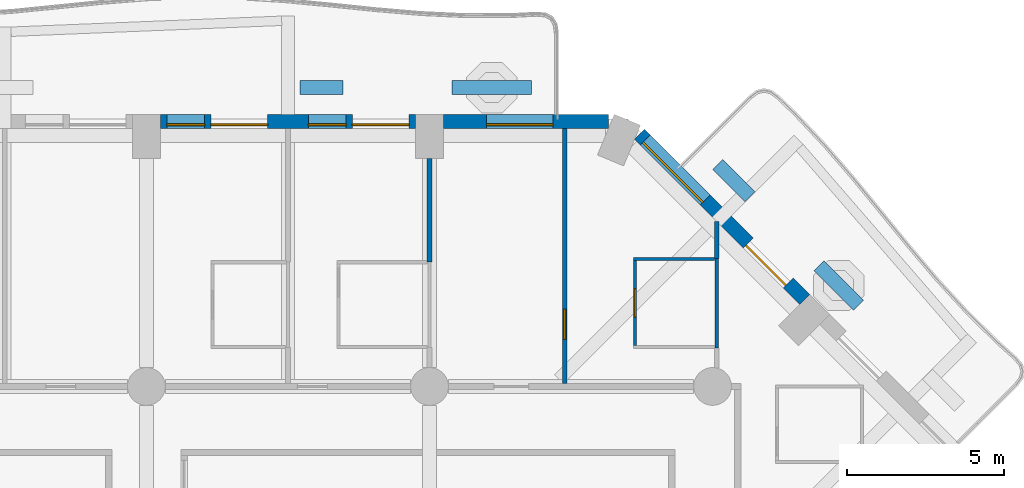
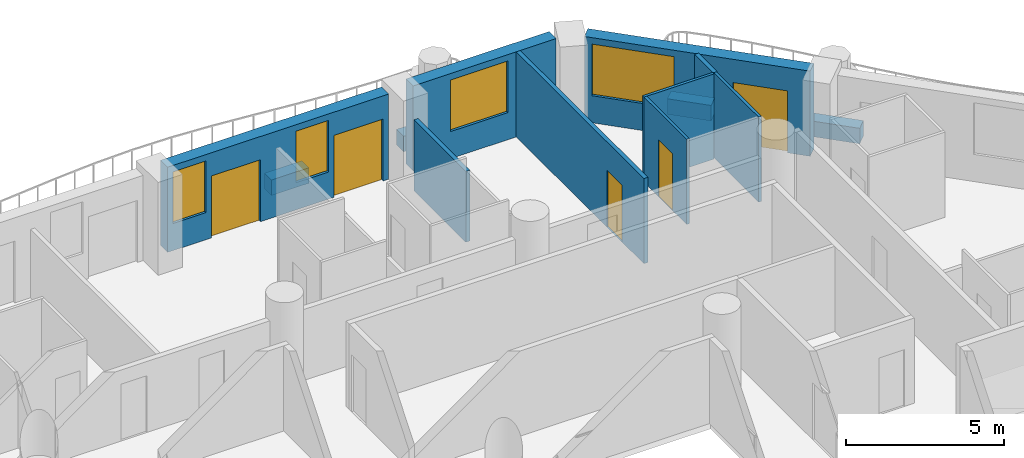
# One storey, part 10 of 20: 13 walls, 5 doors, 4 windows, 9 openings.
"""IFC4 building model written with IfcOpenShell, lengths in metres."""

from ifc_helpers import new_model, si_unit, direction, frame, frame_2d, origin, place, context, subcontext, project, spatial, rectangle, extrude, material, layer, layer_set, type_object, element, fill, save


model = new_model("IFC4")

# Units and contexts
model_context = context("Model", 3, precision=1e-05, world=origin(), true_north=direction((0.0, 1.0)))
body_context = subcontext(model_context, "Body", "Model", "MODEL_VIEW")
ifc_project = project(units=[si_unit("LENGTHUNIT", "METRE"), si_unit("AREAUNIT", "SQUARE_METRE"), si_unit("VOLUMEUNIT", "CUBIC_METRE"), si_unit("PLANEANGLEUNIT", "RADIAN"), si_unit("MASSUNIT", "GRAM", prefix="KILO")], contexts=[model_context])

# Site, building, storey
site_placement = place(None, origin())
site = spatial("IfcSite", under=ifc_project, at=site_placement, CompositionType="ELEMENT")
building_placement = place(site_placement, origin())
building = spatial("IfcBuilding", under=site, at=building_placement, Name="Cypress Arch Tower", CompositionType="ELEMENT")
storey_placement = place(building_placement, frame((0.0, 0.0, 62.699951171875)))
storey = spatial("IfcBuildingStorey", under=building, at=storey_placement, Name="L09", CompositionType="ELEMENT", Elevation=62.699951171875)

# Walls
ifc_material_1 = material(Name="Concrete C40/50, waterproofed", Category="concrete")
ifc_layer_1 = layer(ifc_material_1, 0.449951171875)
ifc_layer_set_1 = layer_set([ifc_layer_1], Name="Balcony planter wall PW450")
wall_type_1 = type_object("IfcWallType", Name="Balcony planter wall PW450", PredefinedType="SOLIDWALL", material=ifc_layer_set_1)
wall_1_placement = place(storey_placement, frame((19.9365234375, 20.07763671875, 0.0), z_axis=(0.0, 0.0, 1.0), x_axis=(-0.707106781187, 0.707106781187, 0.0)))
element("IfcWall", 1, at=wall_1_placement, inside=storey, type_object=wall_type_1, Name="Balcony planter wall L09-A07.2", PredefinedType="SOLIDWALL", context=body_context, shape_type="SweptSolid", body=[
    extrude(rectangle(XDim=1.780517578125, YDim=0.449951171875, at=frame_2d((0.89013671875, 0.0))), origin(), (0.0, 0.0, 1.0), 0.60009765625),
])
wall_2_placement = place(storey_placement, frame((16.485595703125, 23.528564453125, 0.0), z_axis=(0.0, 0.0, 1.0), x_axis=(-0.707022305137, 0.707191247145, 0.0)))
element("IfcWall", 2, at=wall_2_placement, inside=storey, type_object=wall_type_1, Name="Balcony planter wall L09-A07.3", PredefinedType="SOLIDWALL", context=body_context, shape_type="SweptSolid", body=[
    extrude(rectangle(XDim=1.445068359375, YDim=0.449951171875, at=frame_2d((0.72265625, 0.0))), origin(), (0.0, 0.0, 1.0), 0.60009765625),
])
wall_3_placement = place(storey_placement, frame((9.550048828125, 27.0, 0.0), z_axis=(0.0, 0.0, 1.0), x_axis=(-1.0, 0.0, 0.0)))
element("IfcWall", 3, at=wall_3_placement, inside=storey, type_object=wall_type_1, Name="Balcony planter wall L09-A08.1", PredefinedType="SOLIDWALL", context=body_context, shape_type="SweptSolid", body=[
    extrude(rectangle(XDim=2.53759765625, YDim=0.449951171875, at=frame_2d((1.268798828125, 0.0))), origin(), (0.0, 0.0, 1.0), 0.60009765625),
])
wall_4_placement = place(storey_placement, frame((3.550048828125, 27.0, 0.0), z_axis=(0.0, 0.0, 1.0), x_axis=(-1.0, 0.0, 0.0)))
element("IfcWall", 4, at=wall_4_placement, inside=storey, type_object=wall_type_1, Name="Balcony planter wall L09-A08.2", PredefinedType="SOLIDWALL", context=body_context, shape_type="SweptSolid", body=[
    extrude(rectangle(XDim=1.375, YDim=0.449951171875, at=frame_2d((0.6875, 0.0))), origin(), (0.0, 0.0, 1.0), 0.60009765625),
])

# Wall, openings, door, window
ifc_material_2 = material(Name="Brick (red buff blend)", Category="masonry")
ifc_layer_2 = layer(ifc_material_2, 0.449951171875)
ifc_layer_set_2 = layer_set([ifc_layer_2], Name="Brick pier and spandrel wall BW450")
wall_type_2 = type_object("IfcWallType", Name="Brick pier and spandrel wall BW450", PredefinedType="SOLIDWALL", material=ifc_layer_set_2)
wall_5_placement = place(storey_placement, frame((18.228759765625, 20.26513671875, 0.0), z_axis=(0.0, 0.0, 1.0), x_axis=(-0.707106781187, 0.707106781187, 0.0)))
wall_5 = element("IfcWall", 5, at=wall_5_placement, inside=storey, type_object=wall_type_2, Name="Brick wall L09 A07.1", PredefinedType="SOLIDWALL", context=body_context, shape_type="SweptSolid", body=[
    extrude(rectangle(XDim=7.423828125, YDim=0.449951171875, at=frame_2d((3.7119140625, 0.0))), origin(), (0.0, 0.0, 1.0), 3.300048828125),
])
opening_1_placement = place(wall_5_placement, frame((0.740234375, 0.0, 0.0)))
opening_1 = element("IfcOpeningElement", 6, at=opening_1_placement, cuts=wall_5, Name="Opening D-L09-A07.1.1", PredefinedType="OPENING", context=body_context, shape_type="SweptSolid", body=[
    extrude(rectangle(XDim=1.800048828125, YDim=2.39990234375, at=frame_2d((0.89990234375, 1.199951171875))), frame((0.0, 0.23486328125, 0.0), z_axis=(0.0, -1.0, 0.0), x_axis=(1.0, 0.0, 0.0)), (0.0, 0.0, 1.0), 0.469970703125),
])
opening_2_placement = place(wall_5_placement, frame((4.470703125, 0.0, 1.050048828125)))
opening_2 = element("IfcOpeningElement", 7, at=opening_2_placement, cuts=wall_5, Name="Opening W270HD", PredefinedType="OPENING", context=body_context, shape_type="SweptSolid", body=[
    extrude(rectangle(XDim=2.699951171875, YDim=2.0, at=frame_2d((1.35009765625, 1.0))), frame((0.0, 0.23486328125, 0.0), z_axis=(0.0, -1.0, 0.0), x_axis=(1.0, 0.0, 0.0)), (0.0, 0.0, 1.0), 0.469970703125),
])
ifc_material_3 = material(Name="Anodised aluminium, bronze finish, laminated low-emissivity double glazing, large-missile impact rated", Category="aluminium")
door_type_1 = type_object("IfcDoorType", Name="Balcony sliding door 1800x2400", OperationType="SLIDING_TO_LEFT", PredefinedType="DOOR", material=ifc_material_3)
door_1_placement = place(opening_1_placement, origin())
door_1 = element("IfcDoor", 8, at=door_1_placement, inside=storey, type_object=door_type_1, Name="Balcony door L09 A07.1.1", OperationType="SLIDING_TO_LEFT", OverallHeight=2.39990234375, OverallWidth=1.800048828125, PredefinedType="DOOR", context=body_context, shape_type="SweptSolid", body=[
    extrude(rectangle(XDim=1.800048828125, YDim=2.39990234375, at=frame_2d((0.89990234375, 1.199951171875))), frame((0.0, 0.1298828125, 0.0), z_axis=(0.0, -1.0, 0.0), x_axis=(1.0, 0.0, 0.0)), (0.0, 0.0, 1.0), 0.050048828125),
])
fill(opening_1, door_1)
ifc_material_4 = material(Name="Anodised aluminium, bronze finish, laminated low-emissivity double glazing, large-missile impact rated", Category="aluminium")
window_type_1 = type_object("IfcWindowType", Name="Window Hotel 2700x2000 debris-rated", PartitioningType="SINGLE_PANEL", PredefinedType="WINDOW", material=ifc_material_4)
window_1_placement = place(opening_2_placement, origin())
window_1 = element("IfcWindow", 9, at=window_1_placement, inside=storey, type_object=window_type_1, Name="Window L09 A07.1.2", OverallHeight=2.0, OverallWidth=2.699951171875, PartitioningType="SINGLE_PANEL", PredefinedType="WINDOW", context=body_context, shape_type="SweptSolid", body=[
    extrude(rectangle(XDim=2.699951171875, YDim=2.0, at=frame_2d((1.35009765625, 1.0))), frame((0.0, 0.135009765625, 0.0), z_axis=(0.0, -1.0, 0.0), x_axis=(1.0, 0.0, 0.0)), (0.0, 0.0, 1.0), 0.06005859375),
])
fill(opening_2, window_1)

# Wall, opening, window
wall_6_placement = place(storey_placement, frame((11.98876953125, 25.925048828125, 0.0), z_axis=(0.0, 0.0, 1.0), x_axis=(-1.0, 0.0, 0.0)))
wall_6 = element("IfcWall", 10, at=wall_6_placement, inside=storey, type_object=wall_type_2, Name="Brick wall L09 A08.0", PredefinedType="SOLIDWALL", context=body_context, shape_type="SweptSolid", body=[
    extrude(rectangle(XDim=5.23876953125, YDim=0.449951171875, at=frame_2d((2.619384765625, 0.0))), origin(), (0.0, 0.0, 1.0), 3.300048828125),
])
opening_3_placement = place(wall_6_placement, frame((1.769775390625, 0.0, 1.050048828125)))
opening_3 = element("IfcOpeningElement", 11, at=opening_3_placement, cuts=wall_6, Name="Opening W210HD", PredefinedType="OPENING", context=body_context, shape_type="SweptSolid", body=[
    extrude(rectangle(XDim=2.10009765625, YDim=2.0, at=frame_2d((1.050048828125, 1.0))), frame((0.0, 0.23486328125, 0.0), z_axis=(0.0, -1.0, 0.0), x_axis=(1.0, 0.0, 0.0)), (0.0, 0.0, 1.0), 0.469970703125),
])
ifc_material_5 = material(Name="Anodised aluminium, bronze finish, laminated low-emissivity double glazing, large-missile impact rated", Category="aluminium")
window_type_2 = type_object("IfcWindowType", Name="Window Hotel 2100x2000 debris-rated", PartitioningType="SINGLE_PANEL", PredefinedType="WINDOW", material=ifc_material_5)
window_2_placement = place(opening_3_placement, origin())
window_2 = element("IfcWindow", 12, at=window_2_placement, inside=storey, type_object=window_type_2, Name="Window L09 A08.0.1", OverallHeight=2.0, OverallWidth=2.10009765625, PartitioningType="SINGLE_PANEL", PredefinedType="WINDOW", context=body_context, shape_type="SweptSolid", body=[
    extrude(rectangle(XDim=2.10009765625, YDim=2.0, at=frame_2d((1.050048828125, 1.0))), frame((0.0, 0.135009765625, 0.0), z_axis=(0.0, -1.0, 0.0), x_axis=(1.0, 0.0, 0.0)), (0.0, 0.0, 1.0), 0.06005859375),
])
fill(opening_3, window_2)

# Wall, openings, doors, windows
wall_7_placement = place(storey_placement, frame((5.85009765625, 25.925048828125, 0.0), z_axis=(0.0, 0.0, 1.0), x_axis=(-1.0, 0.0, 0.0)))
wall_7 = element("IfcWall", 13, at=wall_7_placement, inside=storey, type_object=wall_type_2, Name="Brick wall L09 A08.1", PredefinedType="SOLIDWALL", context=body_context, shape_type="SweptSolid", body=[
    extrude(rectangle(XDim=8.10009765625, YDim=0.449951171875, at=frame_2d((4.050048828125, 0.0))), origin(), (0.0, 0.0, 1.0), 3.300048828125),
])
opening_4_placement = place(wall_7_placement, frame((0.199951171875, 0.0, 0.0)))
opening_4 = element("IfcOpeningElement", 14, at=opening_4_placement, cuts=wall_7, Name="Opening D-L09-A08.1.1", PredefinedType="OPENING", context=body_context, shape_type="SweptSolid", body=[
    extrude(rectangle(XDim=1.800048828125, YDim=2.39990234375, at=frame_2d((0.89990234375, 1.199951171875))), frame((0.0, 0.23486328125, 0.0), z_axis=(0.0, -1.0, 0.0), x_axis=(1.0, 0.0, 0.0)), (0.0, 0.0, 1.0), 0.469970703125),
])
opening_5_placement = place(wall_7_placement, frame((2.199951171875, 0.0, 1.050048828125)))
opening_5 = element("IfcOpeningElement", 15, at=opening_5_placement, cuts=wall_7, Name="Opening W120HD", PredefinedType="OPENING", context=body_context, shape_type="SweptSolid", body=[
    extrude(rectangle(XDim=1.199951171875, YDim=2.0, at=frame_2d((0.60009765625, 1.0))), frame((0.0, 0.23486328125, 0.0), z_axis=(0.0, -1.0, 0.0), x_axis=(1.0, 0.0, 0.0)), (0.0, 0.0, 1.0), 0.469970703125),
])
opening_6_placement = place(wall_7_placement, frame((4.699951171875, 0.0, 0.0)))
opening_6 = element("IfcOpeningElement", 16, at=opening_6_placement, cuts=wall_7, Name="Opening D-L09-A08.1.2", PredefinedType="OPENING", context=body_context, shape_type="SweptSolid", body=[
    extrude(rectangle(XDim=1.800048828125, YDim=2.39990234375, at=frame_2d((0.89990234375, 1.199951171875))), frame((0.0, 0.23486328125, 0.0), z_axis=(0.0, -1.0, 0.0), x_axis=(1.0, 0.0, 0.0)), (0.0, 0.0, 1.0), 0.469970703125),
])
opening_7_placement = place(wall_7_placement, frame((6.699951171875, 0.0, 1.050048828125)))
opening_7 = element("IfcOpeningElement", 17, at=opening_7_placement, cuts=wall_7, Name="Opening W120HD", PredefinedType="OPENING", context=body_context, shape_type="SweptSolid", body=[
    extrude(rectangle(XDim=1.199951171875, YDim=2.0, at=frame_2d((0.60009765625, 1.0))), frame((0.0, 0.23486328125, 0.0), z_axis=(0.0, -1.0, 0.0), x_axis=(1.0, 0.0, 0.0)), (0.0, 0.0, 1.0), 0.469970703125),
])
door_2_placement = place(opening_4_placement, origin())
door_2 = element("IfcDoor", 18, at=door_2_placement, inside=storey, type_object=door_type_1, Name="Balcony door L09 A08.1.1", OperationType="SLIDING_TO_LEFT", OverallHeight=2.39990234375, OverallWidth=1.800048828125, PredefinedType="DOOR", context=body_context, shape_type="SweptSolid", body=[
    extrude(rectangle(XDim=1.800048828125, YDim=2.39990234375, at=frame_2d((0.89990234375, 1.199951171875))), frame((0.0, 0.1298828125, 0.0), z_axis=(0.0, -1.0, 0.0), x_axis=(1.0, 0.0, 0.0)), (0.0, 0.0, 1.0), 0.050048828125),
])
fill(opening_4, door_2)
door_3_placement = place(opening_6_placement, origin())
door_3 = element("IfcDoor", 19, at=door_3_placement, inside=storey, type_object=door_type_1, Name="Balcony door L09 A08.1.2", OperationType="SLIDING_TO_LEFT", OverallHeight=2.39990234375, OverallWidth=1.800048828125, PredefinedType="DOOR", context=body_context, shape_type="SweptSolid", body=[
    extrude(rectangle(XDim=1.800048828125, YDim=2.39990234375, at=frame_2d((0.89990234375, 1.199951171875))), frame((0.0, 0.1298828125, 0.0), z_axis=(0.0, -1.0, 0.0), x_axis=(1.0, 0.0, 0.0)), (0.0, 0.0, 1.0), 0.050048828125),
])
fill(opening_6, door_3)
ifc_material_6 = material(Name="Anodised aluminium, bronze finish, laminated low-emissivity double glazing, large-missile impact rated", Category="aluminium")
window_type_3 = type_object("IfcWindowType", Name="Window Hotel 1200x2000 debris-rated", PartitioningType="SINGLE_PANEL", PredefinedType="WINDOW", material=ifc_material_6)
window_3_placement = place(opening_5_placement, origin())
window_3 = element("IfcWindow", 20, at=window_3_placement, inside=storey, type_object=window_type_3, Name="Window L09 A08.1.1", OverallHeight=2.0, OverallWidth=1.199951171875, PartitioningType="SINGLE_PANEL", PredefinedType="WINDOW", context=body_context, shape_type="SweptSolid", body=[
    extrude(rectangle(XDim=1.199951171875, YDim=2.0, at=frame_2d((0.60009765625, 1.0))), frame((0.0, 0.135009765625, 0.0), z_axis=(0.0, -1.0, 0.0), x_axis=(1.0, 0.0, 0.0)), (0.0, 0.0, 1.0), 0.06005859375),
])
fill(opening_5, window_3)
window_4_placement = place(opening_7_placement, origin())
window_4 = element("IfcWindow", 21, at=window_4_placement, inside=storey, type_object=window_type_3, Name="Window L09 A08.1.2", OverallHeight=2.0, OverallWidth=1.199951171875, PartitioningType="SINGLE_PANEL", PredefinedType="WINDOW", context=body_context, shape_type="SweptSolid", body=[
    extrude(rectangle(XDim=1.199951171875, YDim=2.0, at=frame_2d((0.60009765625, 1.0))), frame((0.0, 0.135009765625, 0.0), z_axis=(0.0, -1.0, 0.0), x_axis=(1.0, 0.0, 0.0)), (0.0, 0.0, 1.0), 0.06005859375),
])
fill(opening_7, window_4)

# Wall
ifc_material_7 = material(Name="Blockwork, plastered both sides", Category="masonry")
ifc_layer_3 = layer(ifc_material_7, 0.14990234375)
ifc_layer_set_3 = layer_set([ifc_layer_3], Name="Partition PW150")
wall_type_3 = type_object("IfcWallType", Name="Partition PW150", PredefinedType="PARTITIONING", material=ifc_layer_set_3)
wall_8_placement = place(storey_placement, frame((6.300048828125, 21.449951171875, 0.0), z_axis=(0.0, 0.0, 1.0), x_axis=(0.0, 1.0, 0.0)))
element("IfcWall", 22, at=wall_8_placement, inside=storey, type_object=wall_type_3, Name="Partition", PredefinedType="PARTITIONING", context=body_context, shape_type="SweptSolid", body=[
    extrude(rectangle(XDim=3.300048828125, YDim=0.14990234375, at=frame_2d((1.64990234375, 0.0))), origin(), (0.0, 0.0, 1.0), 2.75),
])

# Wall, opening, door
wall_9_placement = place(storey_placement, frame((10.60009765625, 17.60009765625, 0.0), z_axis=(0.0, 0.0, 1.0), x_axis=(0.0, 1.0, 0.0)))
wall_9 = element("IfcWall", 23, at=wall_9_placement, inside=storey, type_object=wall_type_3, Name="Partition", PredefinedType="PARTITIONING", context=body_context, shape_type="SweptSolid", body=[
    extrude(rectangle(XDim=8.099853515625, YDim=0.14990234375, at=frame_2d((4.0498046875, 0.0))), origin(), (0.0, 0.0, 1.0), 3.300048828125),
])
opening_8_placement = place(wall_9_placement, frame((1.39990234375, 0.0, 0.0)))
opening_8 = element("IfcOpeningElement", 24, at=opening_8_placement, cuts=wall_9, Name="Opening D12", PredefinedType="OPENING", context=body_context, shape_type="SweptSolid", body=[
    extrude(rectangle(XDim=0.949951171875, YDim=2.199951171875, at=frame_2d((0.47509765625, 1.10009765625))), frame((0.0, 0.0849609375, 0.0), z_axis=(0.0, -1.0, 0.0), x_axis=(1.0, 0.0, 0.0)), (0.0, 0.0, 1.0), 0.169921875),
])
ifc_material_8 = material(Name="Timber flush door", Category="wood")
door_type_2 = type_object("IfcDoorType", Name="Room door D12 950x2200", OperationType="SINGLE_SWING_LEFT", PredefinedType="DOOR", material=ifc_material_8)
door_4_placement = place(opening_8_placement, origin())
door_4 = element("IfcDoor", 25, at=door_4_placement, inside=storey, type_object=door_type_2, Name="Room door", OperationType="SINGLE_SWING_LEFT", OverallHeight=2.199951171875, OverallWidth=0.949951171875, PredefinedType="DOOR", context=body_context, shape_type="SweptSolid", body=[
    extrude(rectangle(XDim=0.949951171875, YDim=2.199951171875, at=frame_2d((0.47509765625, 1.10009765625))), frame((0.0, 0.02490234375, 0.0), z_axis=(0.0, -1.0, 0.0), x_axis=(1.0, 0.0, 0.0)), (0.0, 0.0, 1.0), 0.050048828125),
])
fill(opening_8, door_4)

# Wall
wall_10_placement = place(storey_placement, frame((15.431884765625, 21.570068359375, 0.0), z_axis=(0.0, 0.0, 1.0), x_axis=(0.0, 1.0, 0.0)))
element("IfcWall", 26, at=wall_10_placement, inside=storey, type_object=wall_type_3, Name="Partition", PredefinedType="PARTITIONING", context=body_context, shape_type="SweptSolid", body=[
    extrude(rectangle(XDim=1.173583984375, YDim=0.14990234375, at=frame_2d((0.5869140625, 0.0))), origin(), (0.0, 0.0, 1.0), 3.300048828125),
])

# Wall, opening, door
ifc_material_9 = material(Name="Moisture resistant board on steel studs, tiled", Category="steel")
ifc_layer_4 = layer(ifc_material_9, 0.10009765625)
ifc_layer_set_4 = layer_set([ifc_layer_4], Name="Wet wall PW100")
wall_type_4 = type_object("IfcWallType", Name="Wet wall PW100", PredefinedType="PARTITIONING", material=ifc_layer_set_4)
wall_11_placement = place(storey_placement, frame((12.8359375, 18.800048828125, 0.0), z_axis=(0.0, 0.0, 1.0), x_axis=(0.0, 1.0, 0.0)))
wall_11 = element("IfcWall", 27, at=wall_11_placement, inside=storey, type_object=wall_type_4, Name="Wet wall", PredefinedType="PARTITIONING", context=body_context, shape_type="SweptSolid", body=[
    extrude(rectangle(XDim=2.699951171875, YDim=0.10009765625, at=frame_2d((1.35009765625, 0.0))), origin(), (0.0, 0.0, 1.0), 3.300048828125),
])
opening_9_placement = place(wall_11_placement, frame((0.89990234375, 0.0, 0.0)))
opening_9 = element("IfcOpeningElement", 28, at=opening_9_placement, cuts=wall_11, Name="Opening D03", PredefinedType="OPENING", context=body_context, shape_type="SweptSolid", body=[
    extrude(rectangle(XDim=0.89990234375, YDim=2.199951171875, at=frame_2d((0.449951171875, 1.10009765625))), frame((0.0, 0.06005859375, 0.0), z_axis=(0.0, -1.0, 0.0), x_axis=(1.0, 0.0, 0.0)), (0.0, 0.0, 1.0), 0.1201171875),
])
ifc_material_10 = material(Name="Timber flush door, moisture resistant", Category="wood")
door_type_3 = type_object("IfcDoorType", Name="Bathroom door D03 900x2200", OperationType="SINGLE_SWING_LEFT", PredefinedType="DOOR", material=ifc_material_10)
door_5_placement = place(opening_9_placement, origin())
door_5 = element("IfcDoor", 29, at=door_5_placement, inside=storey, type_object=door_type_3, Name="Bathroom door", OperationType="SINGLE_SWING_LEFT", OverallHeight=2.199951171875, OverallWidth=0.89990234375, PredefinedType="DOOR", context=body_context, shape_type="SweptSolid", body=[
    extrude(rectangle(XDim=0.89990234375, YDim=2.199951171875, at=frame_2d((0.449951171875, 1.10009765625))), frame((0.0, 0.02490234375, 0.0), z_axis=(0.0, -1.0, 0.0), x_axis=(1.0, 0.0, 0.0)), (0.0, 0.0, 1.0), 0.050048828125),
])
fill(opening_9, door_5)

# Walls
wall_12_placement = place(storey_placement, frame((12.785888671875, 21.550048828125, 0.0), z_axis=(0.0, 0.0, 1.0), x_axis=(1.0, 0.0, 0.0)))
element("IfcWall", 30, at=wall_12_placement, inside=storey, type_object=wall_type_4, Name="Wet wall", PredefinedType="PARTITIONING", context=body_context, shape_type="SweptSolid", body=[
    extrude(rectangle(XDim=2.571044921875, YDim=0.10009765625, at=frame_2d((1.28564453125, 0.0))), origin(), (0.0, 0.0, 1.0), 3.300048828125),
])
wall_13_placement = place(storey_placement, frame((15.431884765625, 18.72998046875, 0.0), z_axis=(0.0, 0.0, 1.0), x_axis=(0.0, 1.0, 0.0)))
element("IfcWall", 31, at=wall_13_placement, inside=storey, type_object=wall_type_4, Name="Wet wall", PredefinedType="PARTITIONING", context=body_context, shape_type="SweptSolid", body=[
    extrude(rectangle(XDim=2.840087890625, YDim=0.10009765625, at=frame_2d((1.419921875, 0.0))), origin(), (0.0, 0.0, 1.0), 3.300048828125),
])

save(model, "model.ifc")
